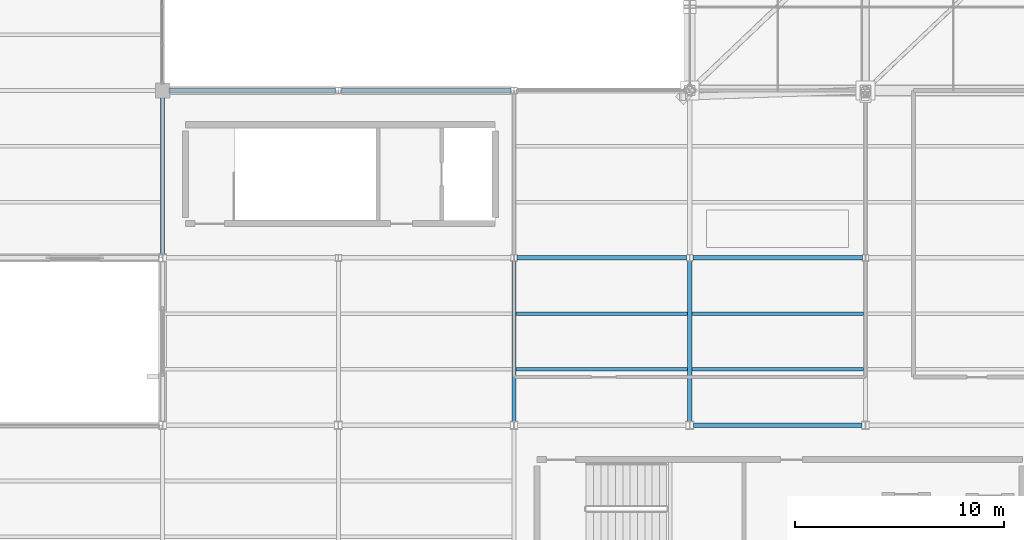
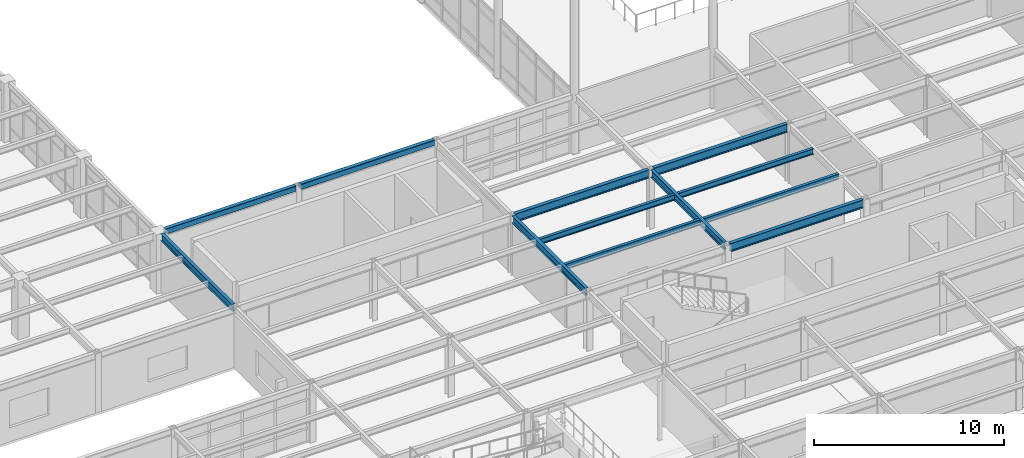
# One storey, part 27 of 138: 12 beams.
"""IFC4 building model written with IfcOpenShell, lengths in metres."""

from ifc_helpers import new_model, si_unit, direction, frame, origin, origin_2d, place, context, subcontext, project, spatial, hollow_rectangle, i_section, extrude, material, material_profile, profile_set, type_object, element, save


model = new_model("IFC4")

# Units and contexts
model_context = context("Model", 3, precision=1e-05, world=origin(), true_north=direction((0.0, 1.0)))
body_context = subcontext(model_context, "Body", "Model", "MODEL_VIEW")
ifc_project = project(units=[si_unit("LENGTHUNIT", "METRE"), si_unit("AREAUNIT", "SQUARE_METRE"), si_unit("VOLUMEUNIT", "CUBIC_METRE"), si_unit("PLANEANGLEUNIT", "RADIAN"), si_unit("MASSUNIT", "GRAM", prefix="KILO")], contexts=[model_context])

# Site, building, storey
site_placement = place(None, origin())
site = spatial("IfcSite", under=ifc_project, at=site_placement, CompositionType="ELEMENT")
building_placement = place(site_placement, origin())
building = spatial("IfcBuilding", under=site, at=building_placement, Name="Kranzveld Transit Interchange", CompositionType="ELEMENT")
storey_placement = place(building_placement, frame((0.0, 0.0, 5.43994140625)))
storey = spatial("IfcBuildingStorey", under=building, at=storey_placement, Name="L01", CompositionType="ELEMENT", Elevation=5.43994140625)

# Beams
ifc_material_1 = material(Name="Steel S355JR", Category="steel")
ifc_material_profile_1 = material_profile(ifc_material_1, i_section(OverallWidth=0.19189453125, OverallDepth=0.46337890625, WebThickness=0.010498046875, FlangeThickness=0.017578125, FilletRadius=0.01025390625, at=origin_2d()), Name="UB 457x191x89")
ifc_profile_set_1 = profile_set([ifc_material_profile_1], Name="Steel S355JR")
beam_type_1 = type_object("IfcBeamType", Name="Beam Steel UB 457x191x89 S355JR", PredefinedType="BEAM", material=ifc_profile_set_1)
beam_1_placement = place(storey_placement, frame((33.60009765625, 48.17724609375, 3.568359375), z_axis=(0.0, 1.0, 0.0), x_axis=(-1.0, 0.0, 0.0)))
element("IfcBeam", 1, at=beam_1_placement, inside=storey, type_object=beam_type_1, Name="L01 Girder 05/G-H", PredefinedType="BEAM", context=body_context, shape_type="SweptSolid", body=[
    extrude(i_section(OverallWidth=0.19189453125, OverallDepth=0.46337890625, WebThickness=0.010498046875, FlangeThickness=0.017578125, FilletRadius=0.01025390625, at=origin_2d()), origin(), (0.0, 0.0, 1.0), 7.482666015625),
])
for number, where, z_axis, x_axis, name in (
    (2, (50.39990234375, 40.17724609375, 3.568359375), (0.0, 1.0, 0.0), (-1.0, 0.0, 0.0), "L01 Girder 07/F-G"),
    (3, (58.800048828125, 40.17724609375, 3.568359375), (0.0, 1.0, 0.0), (-1.0, 0.0, 0.0), "L01 Girder 08/F-G"),
):
    element("IfcBeam", number, at=place(storey_placement, frame(where, z_axis=z_axis, x_axis=x_axis)), inside=storey, type_object=beam_type_1, Name=name, PredefinedType="BEAM", context=body_context, shape_type="SweptSolid", body=[
        extrude(i_section(OverallWidth=0.19189453125, OverallDepth=0.46337890625, WebThickness=0.010498046875, FlangeThickness=0.017578125, FilletRadius=0.01025390625, at=origin_2d()), origin(), (0.0, 0.0, 1.0), 7.672607421875),
    ])
ifc_material_2 = material(Name="Steel S355JR", Category="steel")
ifc_material_profile_2 = material_profile(ifc_material_2, hollow_rectangle(XDim=0.25, YDim=0.35009765625, WallThickness=0.012451171875, InnerFilletRadius=0.018798828125, OuterFilletRadius=0.03125, at=origin_2d()), Name="RHS 350x250x12.5")
ifc_profile_set_2 = profile_set([ifc_material_profile_2], Name="Steel S355JR")
beam_type_2 = type_object("IfcBeamType", Name="Edge Spandrel RHS 350x250x12.5 S355JR", PredefinedType="SPANDREL", material=ifc_profile_set_2)
beam_2_placement = place(storey_placement, frame((33.93994140625, 56.0, 3.625), z_axis=(1.0, 0.0, 0.0), x_axis=(0.0, 1.0, 0.0)))
element("IfcBeam", 4, at=beam_2_placement, inside=storey, type_object=beam_type_2, Name="L01 Girder 05-06/H", PredefinedType="SPANDREL", context=body_context, shape_type="SweptSolid", body=[
    extrude(hollow_rectangle(XDim=0.25, YDim=0.35009765625, WallThickness=0.012451171875, InnerFilletRadius=0.018798828125, OuterFilletRadius=0.03125, at=origin_2d()), origin(), (0.0, 0.0, 1.0), 7.91552734375),
])
beam_3_placement = place(storey_placement, frame((42.14453125, 56.0, 3.625), z_axis=(1.0, 0.0, 0.0), x_axis=(0.0, 1.0, 0.0)))
element("IfcBeam", 5, at=beam_3_placement, inside=storey, type_object=beam_type_2, Name="L01 Girder 06-07/H", PredefinedType="SPANDREL", context=body_context, shape_type="SweptSolid", body=[
    extrude(hollow_rectangle(XDim=0.25, YDim=0.35009765625, WallThickness=0.012451171875, InnerFilletRadius=0.018798828125, OuterFilletRadius=0.03125, at=origin_2d()), origin(), (0.0, 0.0, 1.0), 8.11083984375),
])
ifc_material_3 = material(Name="Steel S355JR", Category="steel")
ifc_material_profile_3 = material_profile(ifc_material_3, i_section(OverallWidth=0.172119140625, OverallDepth=0.35791015625, WebThickness=0.008056640625, FlangeThickness=0.012939453125, FilletRadius=0.01025390625, at=origin_2d()), Name="UB 356x171x57")
ifc_profile_set_3 = profile_set([ifc_material_profile_3], Name="Steel S355JR")
beam_type_3 = type_object("IfcBeamType", Name="Floor Joist UB 356x171x57 S355JR", PredefinedType="JOIST", material=ifc_profile_set_3)
for number, where, z_axis, x_axis, name in (
    (6, (50.498046875, 42.666748046875, 3.62109375), (1.0, 0.0, 0.0), (0.0, 1.0, 0.0), "L01 Secondary Joist 07-08/F.1"),
    (7, (50.498046875, 45.333251953125, 3.62109375), (1.0, 0.0, 0.0), (0.0, 1.0, 0.0), "L01 Secondary Joist 07-08/F.2"),
    (8, (58.89794921875, 42.666748046875, 3.62109375), (1.0, 0.0, 0.0), (0.0, 1.0, 0.0), "L01 Secondary Joist 08-09/F.1"),
    (9, (58.89794921875, 45.333251953125, 3.62109375), (1.0, 0.0, 0.0), (0.0, 1.0, 0.0), "L01 Secondary Joist 08-09/F.2"),
):
    element("IfcBeam", number, at=place(storey_placement, frame(where, z_axis=z_axis, x_axis=x_axis)), inside=storey, type_object=beam_type_3, Name=name, PredefinedType="JOIST", context=body_context, shape_type="SweptSolid", body=[
        extrude(i_section(OverallWidth=0.172119140625, OverallDepth=0.35791015625, WebThickness=0.008056640625, FlangeThickness=0.012939453125, FilletRadius=0.01025390625, at=origin_2d()), origin(), (0.0, 0.0, 1.0), 8.2041015625),
    ])
ifc_material_4 = material(Name="Steel S355JR", Category="steel")
ifc_material_profile_4 = material_profile(ifc_material_4, i_section(OverallWidth=0.210693359375, OverallDepth=0.53955078125, WebThickness=0.01171875, FlangeThickness=0.018798828125, FilletRadius=0.0126953125, at=origin_2d()), Name="UB 533x210x109")
ifc_profile_set_4 = profile_set([ifc_material_profile_4], Name="Steel S355JR")
beam_type_4 = type_object("IfcBeamType", Name="Girder Steel UB 533x210x109 S355JR", PredefinedType="BEAM", material=ifc_profile_set_4)
beam_4_placement = place(storey_placement, frame((58.977294921875, 40.0, 3.5302734375), z_axis=(1.0, 0.0, 0.0), x_axis=(0.0, 1.0, 0.0)))
element("IfcBeam", 10, at=beam_4_placement, inside=storey, type_object=beam_type_4, Name="L01 Girder 08-09/F", PredefinedType="BEAM", context=body_context, shape_type="SweptSolid", body=[
    extrude(i_section(OverallWidth=0.210693359375, OverallDepth=0.53955078125, WebThickness=0.01171875, FlangeThickness=0.018798828125, FilletRadius=0.0126953125, at=origin_2d()), origin(), (0.0, 0.0, 1.0), 8.04541015625),
])
for number, where, z_axis, x_axis, name in (
    (11, (50.544677734375, 48.0, 3.5302734375), (1.0, 0.0, 0.0), (0.0, 1.0, 0.0), "L01 Girder 07-08/G"),
    (12, (58.944580078125, 48.0, 3.5302734375), (1.0, 0.0, 0.0), (0.0, 1.0, 0.0), "L01 Girder 08-09/G"),
):
    element("IfcBeam", number, at=place(storey_placement, frame(where, z_axis=z_axis, x_axis=x_axis)), inside=storey, type_object=beam_type_4, Name=name, PredefinedType="BEAM", context=body_context, shape_type="SweptSolid", body=[
        extrude(i_section(OverallWidth=0.210693359375, OverallDepth=0.53955078125, WebThickness=0.01171875, FlangeThickness=0.018798828125, FilletRadius=0.0126953125, at=origin_2d()), origin(), (0.0, 0.0, 1.0), 8.11083984375),
    ])

save(model, "model.ifc")
